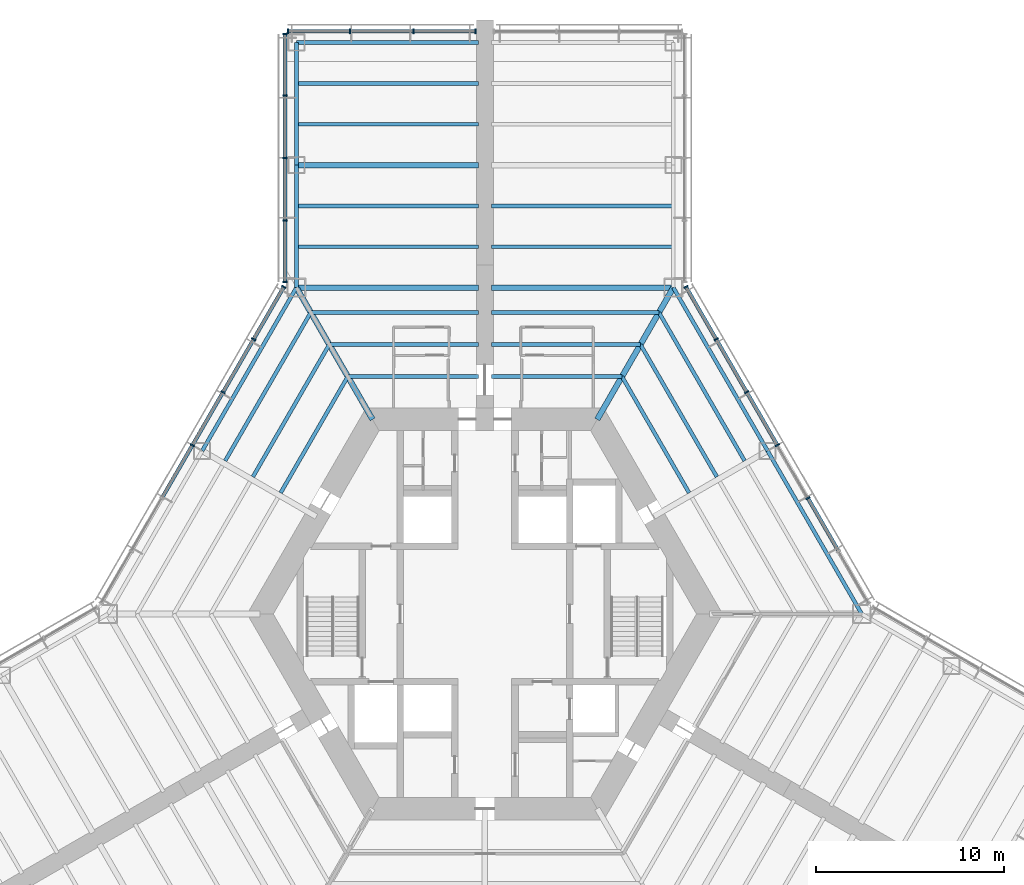
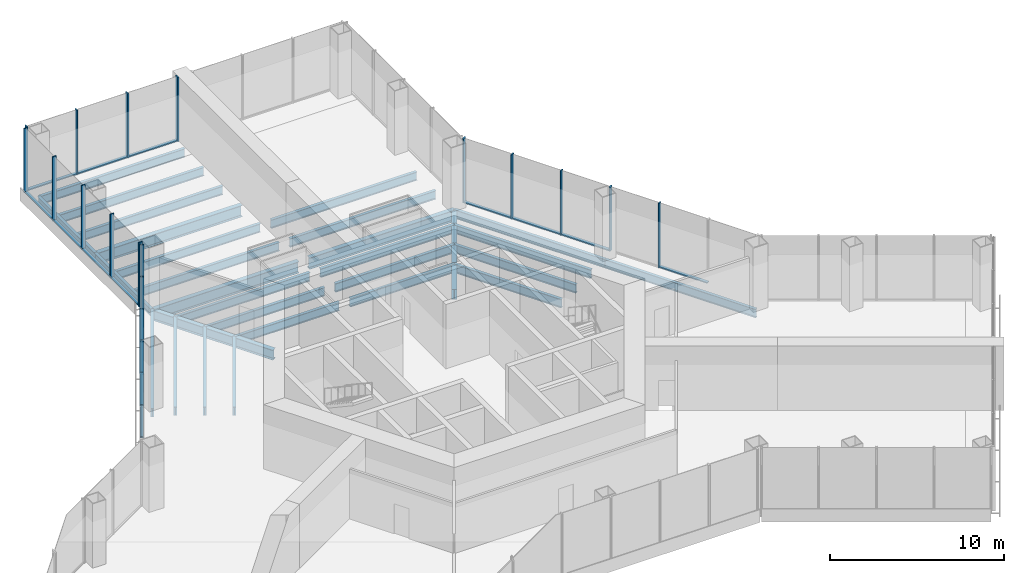
# One storey, part 5 of 13: 33 members, 29 beams, 4 elements without a shape of their own.
"""IFC4 building model written with IfcOpenShell, lengths in metres."""

from ifc_helpers import new_model, si_unit, direction, frame, origin, origin_2d, place, context, subcontext, project, spatial, rectangle, i_section, extrude, material, material_profile, profile_set, type_object, element, aggregate, save


model = new_model("IFC4")

# Units and contexts
model_context = context("Model", 3, precision=1e-05, world=origin(), true_north=direction((0.0, 1.0)))
body_context = subcontext(model_context, "Body", "Model", "MODEL_VIEW")
ifc_project = project(units=[si_unit("LENGTHUNIT", "METRE"), si_unit("AREAUNIT", "SQUARE_METRE"), si_unit("VOLUMEUNIT", "CUBIC_METRE"), si_unit("PLANEANGLEUNIT", "RADIAN"), si_unit("MASSUNIT", "GRAM", prefix="KILO")], contexts=[model_context])

# Site, building, storey
site_placement = place(None, origin())
site = spatial("IfcSite", under=ifc_project, at=site_placement, CompositionType="ELEMENT")
building_placement = place(site_placement, origin())
building = spatial("IfcBuilding", under=site, at=building_placement, Name="Kasaneha Research Tower", CompositionType="ELEMENT")
storey_placement = place(building_placement, frame((0.0, 0.0, 5.5)))
storey = spatial("IfcBuildingStorey", under=building, at=storey_placement, Name="L02", CompositionType="ELEMENT", Elevation=5.5)

# Beams
ifc_material_1 = material(Name="Steel SN490B", Category="steel")
ifc_material_profile_1 = material_profile(ifc_material_1, i_section(OverallWidth=0.199951171875, OverallDepth=0.60009765625, WebThickness=0.010986328125, FlangeThickness=0.01708984375, FilletRadius=0.012939453125, at=origin_2d()), Name="H-600x200x11x17")
ifc_profile_set_1 = profile_set([ifc_material_profile_1], Name="Steel SN490B")
beam_type_1 = type_object("IfcBeamType", Name="B1-1 secondary beam H-600x200x11x17", PredefinedType="JOIST", material=ifc_profile_set_1)
beam_1_placement = place(storey_placement, frame((7.274658203125, 12.60009765625, -0.5), z_axis=(0.499990404686, -0.866030943571, 0.0), x_axis=(0.866030943571, 0.499990404686, 0.0)))
element("IfcBeam", 1, at=beam_1_placement, inside=storey, type_object=beam_type_1, Name="Secondary beam RS030R1 L02", PredefinedType="JOIST", context=body_context, shape_type="SweptSolid", body=[
    extrude(i_section(OverallWidth=0.199951171875, OverallDepth=0.60009765625, WebThickness=0.010986328125, FlangeThickness=0.01708984375, FilletRadius=0.012939453125, at=origin_2d()), origin(), (0.0, 0.0, 1.0), 7.124755859375),
])
beam_2_placement = place(storey_placement, frame((8.256103515625, 14.300048828125, -0.5), z_axis=(0.499984030215, -0.866034623748, 0.0), x_axis=(0.866034623748, 0.499984030215, 0.0)))
element("IfcBeam", 2, at=beam_2_placement, inside=storey, type_object=beam_type_1, Name="Secondary beam RS030R2 L02", PredefinedType="JOIST", context=body_context, shape_type="SweptSolid", body=[
    extrude(i_section(OverallWidth=0.199951171875, OverallDepth=0.60009765625, WebThickness=0.010986328125, FlangeThickness=0.01708984375, FilletRadius=0.012939453125, at=origin_2d()), origin(), (0.0, 0.0, 1.0), 8.106201171875),
])
beam_3_placement = place(storey_placement, frame((9.237548828125, 16.0, -0.5), z_axis=(0.500010814234, -0.866019160093, 0.0), x_axis=(0.866019160093, 0.500010814234, 0.0)))
element("IfcBeam", 3, at=beam_3_placement, inside=storey, type_object=beam_type_1, Name="Secondary beam RS030R3 L02", PredefinedType="JOIST", context=body_context, shape_type="SweptSolid", body=[
    extrude(i_section(OverallWidth=0.199951171875, OverallDepth=0.60009765625, WebThickness=0.010986328125, FlangeThickness=0.01708984375, FilletRadius=0.012939453125, at=origin_2d()), origin(), (0.0, 0.0, 1.0), 9.087646484375),
])
beam_4_placement = place(storey_placement, frame((7.274658203125, 12.60009765625, -0.5), z_axis=(-1.0, 0.0, 0.0), x_axis=(0.0, -1.0, 0.0)))
element("IfcBeam", 4, at=beam_4_placement, inside=storey, type_object=beam_type_1, Name="Secondary beam RS090L1 L02", PredefinedType="JOIST", context=body_context, shape_type="SweptSolid", body=[
    extrude(i_section(OverallWidth=0.199951171875, OverallDepth=0.60009765625, WebThickness=0.010986328125, FlangeThickness=0.01708984375, FilletRadius=0.012939453125, at=origin_2d()), origin(), (0.0, 0.0, 1.0), 6.924560546875),
])
beam_5_placement = place(storey_placement, frame((8.256103515625, 14.300048828125, -0.5), z_axis=(-1.0, 0.0, 0.0), x_axis=(0.0, -1.0, 0.0)))
element("IfcBeam", 5, at=beam_5_placement, inside=storey, type_object=beam_type_1, Name="Secondary beam RS090L2 L02", PredefinedType="JOIST", context=body_context, shape_type="SweptSolid", body=[
    extrude(i_section(OverallWidth=0.199951171875, OverallDepth=0.60009765625, WebThickness=0.010986328125, FlangeThickness=0.01708984375, FilletRadius=0.012939453125, at=origin_2d()), origin(), (0.0, 0.0, 1.0), 7.906005859375),
])
beam_6_placement = place(storey_placement, frame((9.237548828125, 16.0, -0.5), z_axis=(-1.0, 0.0, 0.0), x_axis=(0.0, -1.0, 0.0)))
element("IfcBeam", 6, at=beam_6_placement, inside=storey, type_object=beam_type_1, Name="Secondary beam RS090L3 L02", PredefinedType="JOIST", context=body_context, shape_type="SweptSolid", body=[
    extrude(i_section(OverallWidth=0.199951171875, OverallDepth=0.60009765625, WebThickness=0.010986328125, FlangeThickness=0.01708984375, FilletRadius=0.012939453125, at=origin_2d()), origin(), (0.0, 0.0, 1.0), 8.887451171875),
])
beam_7_placement = place(storey_placement, frame((-7.274658203125, 12.60009765625, -0.5), z_axis=(1.0, 0.0, 0.0), x_axis=(0.0, 1.0, 0.0)))
element("IfcBeam", 7, at=beam_7_placement, inside=storey, type_object=beam_type_1, Name="Secondary beam RS090R1 L02", PredefinedType="JOIST", context=body_context, shape_type="SweptSolid", body=[
    extrude(i_section(OverallWidth=0.199951171875, OverallDepth=0.60009765625, WebThickness=0.010986328125, FlangeThickness=0.01708984375, FilletRadius=0.012939453125, at=origin_2d()), origin(), (0.0, 0.0, 1.0), 6.924560546875),
])
beam_8_placement = place(storey_placement, frame((-8.256103515625, 14.300048828125, -0.5), z_axis=(1.0, 0.0, 0.0), x_axis=(0.0, 1.0, 0.0)))
element("IfcBeam", 8, at=beam_8_placement, inside=storey, type_object=beam_type_1, Name="Secondary beam RS090R2 L02", PredefinedType="JOIST", context=body_context, shape_type="SweptSolid", body=[
    extrude(i_section(OverallWidth=0.199951171875, OverallDepth=0.60009765625, WebThickness=0.010986328125, FlangeThickness=0.01708984375, FilletRadius=0.012939453125, at=origin_2d()), origin(), (0.0, 0.0, 1.0), 7.906005859375),
])
beam_9_placement = place(storey_placement, frame((-9.237548828125, 16.0, -0.5), z_axis=(1.0, 0.0, 0.0), x_axis=(0.0, 1.0, 0.0)))
element("IfcBeam", 9, at=beam_9_placement, inside=storey, type_object=beam_type_1, Name="Secondary beam RS090R3 L02", PredefinedType="JOIST", context=body_context, shape_type="SweptSolid", body=[
    extrude(i_section(OverallWidth=0.199951171875, OverallDepth=0.60009765625, WebThickness=0.010986328125, FlangeThickness=0.01708984375, FilletRadius=0.012939453125, at=origin_2d()), origin(), (0.0, 0.0, 1.0), 8.887451171875),
])
beam_10_placement = place(storey_placement, frame((-7.274658203125, 12.60009765625, -0.5), z_axis=(-0.499990404686, -0.866030943571, 0.0), x_axis=(0.866030943571, -0.499990404686, 0.0)))
element("IfcBeam", 10, at=beam_10_placement, inside=storey, type_object=beam_type_1, Name="Secondary beam RS150L1 L02", PredefinedType="JOIST", context=body_context, shape_type="SweptSolid", body=[
    extrude(i_section(OverallWidth=0.199951171875, OverallDepth=0.60009765625, WebThickness=0.010986328125, FlangeThickness=0.01708984375, FilletRadius=0.012939453125, at=origin_2d()), origin(), (0.0, 0.0, 1.0), 7.124755859375),
])
beam_11_placement = place(storey_placement, frame((-8.256103515625, 14.300048828125, -0.5), z_axis=(-0.499984030215, -0.866034623748, 0.0), x_axis=(0.866034623748, -0.499984030215, 0.0)))
element("IfcBeam", 11, at=beam_11_placement, inside=storey, type_object=beam_type_1, Name="Secondary beam RS150L2 L02", PredefinedType="JOIST", context=body_context, shape_type="SweptSolid", body=[
    extrude(i_section(OverallWidth=0.199951171875, OverallDepth=0.60009765625, WebThickness=0.010986328125, FlangeThickness=0.01708984375, FilletRadius=0.012939453125, at=origin_2d()), origin(), (0.0, 0.0, 1.0), 8.106201171875),
])
beam_12_placement = place(storey_placement, frame((-9.237548828125, 16.0, -0.5), z_axis=(-0.500010814234, -0.866019160093, 0.0), x_axis=(0.866019160093, -0.500010814234, 0.0)))
element("IfcBeam", 12, at=beam_12_placement, inside=storey, type_object=beam_type_1, Name="Secondary beam RS150L3 L02", PredefinedType="JOIST", context=body_context, shape_type="SweptSolid", body=[
    extrude(i_section(OverallWidth=0.199951171875, OverallDepth=0.60009765625, WebThickness=0.010986328125, FlangeThickness=0.01708984375, FilletRadius=0.012939453125, at=origin_2d()), origin(), (0.0, 0.0, 1.0), 9.087646484375),
])
ifc_material_2 = material(Name="Steel SN490B", Category="steel")
ifc_material_profile_2 = material_profile(ifc_material_2, i_section(OverallWidth=0.198974609375, OverallDepth=0.595947265625, WebThickness=0.010009765625, FlangeThickness=0.014892578125, FilletRadius=0.012939453125, at=origin_2d()), Name="H-596x199x10x15")
ifc_profile_set_2 = profile_set([ifc_material_profile_2], Name="Steel SN490B")
beam_type_2 = type_object("IfcBeamType", Name="B2-1 secondary beam H-596x199x10x15", PredefinedType="JOIST", material=ifc_profile_set_2)
for number, where, z_axis, x_axis, name in (
    (13, (10.0, 19.487060546875, -0.498046875), (-1.0, 0.0, 0.0), (0.0, -1.0, 0.0), "Secondary beam WBAP1 L02"),
    (14, (10.0, 21.65380859375, -0.498046875), (-1.0, 0.0, 0.0), (0.0, -1.0, 0.0), "Secondary beam WBAP2 L02"),
    (15, (-10.0, 19.487060546875, -0.498046875), (1.0, 0.0, 0.0), (0.0, 1.0, 0.0), "Secondary beam WBAN1 L02"),
    (16, (-10.0, 21.65380859375, -0.498046875), (1.0, 0.0, 0.0), (0.0, 1.0, 0.0), "Secondary beam WBAN2 L02"),
    (17, (-10.0, 25.987060546875, -0.498046875), (1.0, 0.0, 0.0), (0.0, 1.0, 0.0), "Secondary beam WBAN3 L02"),
    (18, (-10.0, 28.15380859375, -0.498046875), (1.0, 0.0, 0.0), (0.0, 1.0, 0.0), "Secondary beam WBAN4 L02"),
):
    element("IfcBeam", number, at=place(storey_placement, frame(where, z_axis=z_axis, x_axis=x_axis)), inside=storey, type_object=beam_type_2, Name=name, PredefinedType="JOIST", context=body_context, shape_type="SweptSolid", body=[
        extrude(i_section(OverallWidth=0.198974609375, OverallDepth=0.595947265625, WebThickness=0.010009765625, FlangeThickness=0.014892578125, FilletRadius=0.012939453125, at=origin_2d()), origin(), (0.0, 0.0, 1.0), 9.64990234375),
    ])

# Curtain wall, members
ifc_material_3 = material(Name="Glass and aluminium", Category="aluminium")
curtain_wall_type = type_object("IfcCurtainWallType", Name="Entrance hall curtain wall", PredefinedType="USERDEFINED", material=ifc_material_3)
curtain_wall_1_placement = place(storey_placement, origin())
curtain_wall_1 = element("IfcCurtainWall", 19, at=curtain_wall_1_placement, inside=storey, type_object=curtain_wall_type, Name="CW-H L02 run 07a", ObjectType="UNITISED CURTAIN WALL", PredefinedType="USERDEFINED")
ifc_material_4 = material(Name="Aluminium 6063-T6", Category="aluminium")
ifc_material_profile_3 = material_profile(ifc_material_4, rectangle(XDim=0.080078125, YDim=0.25, at=origin_2d()), Name="CW-H mullion 80x250")
ifc_profile_set_3 = profile_set([ifc_material_profile_3], Name="Aluminium 6063-T6")
member_type_1 = type_object("IfcMemberType", Name="CW-H mullion", PredefinedType="MULLION", material=ifc_profile_set_3)
member_1_placement = place(storey_placement, frame((17.142822265625, 6.148681640625, 0.0), z_axis=(0.0, 0.0, 1.0), x_axis=(-0.49999996188, 0.866025425793, 0.0)))
member_1 = element("IfcMember", 20, at=member_1_placement, type_object=member_type_1, Name="CW-H mullion 3", PredefinedType="MULLION", context=body_context, shape_type="SweptSolid", body=[
    extrude(rectangle(XDim=0.080078125, YDim=0.25, at=origin_2d()), origin(), (0.0, 0.0, 1.0), 4.5),
])
member_2_placement = place(storey_placement, frame((15.51953125, 8.960205078125, 0.0), z_axis=(0.0, 0.0, 1.0), x_axis=(-0.49999996188, 0.866025425793, 0.0)))
member_2 = element("IfcMember", 21, at=member_2_placement, type_object=member_type_1, Name="CW-H mullion 4", PredefinedType="MULLION", context=body_context, shape_type="SweptSolid", body=[
    extrude(rectangle(XDim=0.080078125, YDim=0.25, at=origin_2d()), origin(), (0.0, 0.0, 1.0), 4.5),
])
member_3_placement = place(storey_placement, frame((13.896484375, 11.771728515625, 0.0), z_axis=(0.0, 0.0, 1.0), x_axis=(-0.49999996188, 0.866025425793, 0.0)))
member_3 = element("IfcMember", 22, at=member_3_placement, type_object=member_type_1, Name="CW-H mullion 5", PredefinedType="MULLION", context=body_context, shape_type="SweptSolid", body=[
    extrude(rectangle(XDim=0.080078125, YDim=0.25, at=origin_2d()), origin(), (0.0, 0.0, 1.0), 4.5),
])
member_4_placement = place(storey_placement, frame((12.273193359375, 14.583251953125, 0.0), z_axis=(0.0, 0.0, 1.0), x_axis=(-0.49999996188, 0.866025425793, 0.0)))
member_4 = element("IfcMember", 23, at=member_4_placement, type_object=member_type_1, Name="CW-H mullion 6", PredefinedType="MULLION", context=body_context, shape_type="SweptSolid", body=[
    extrude(rectangle(XDim=0.080078125, YDim=0.25, at=origin_2d()), origin(), (0.0, 0.0, 1.0), 4.5),
])
member_5_placement = place(storey_placement, frame((10.669921875, 17.360107421875, 0.0), z_axis=(0.0, 0.0, 1.0), x_axis=(-0.49999996188, 0.866025425793, 0.0)))
member_5 = element("IfcMember", 24, at=member_5_placement, type_object=member_type_1, Name="CW-H mullion 7", PredefinedType="MULLION", context=body_context, shape_type="SweptSolid", body=[
    extrude(rectangle(XDim=0.080078125, YDim=0.25, at=origin_2d()), origin(), (0.0, 0.0, 1.0), 4.5),
])

curtain_wall_2_placement = place(storey_placement, origin())
curtain_wall_2 = element("IfcCurtainWall", 25, at=curtain_wall_2_placement, inside=storey, type_object=curtain_wall_type, Name="CW-H L02 run 10a", ObjectType="UNITISED CURTAIN WALL", PredefinedType="USERDEFINED")
member_6_placement = place(storey_placement, frame((-0.489990234375, 30.92041015625, 0.0), z_axis=(0.0, 0.0, 1.0), x_axis=(-1.0, 0.0, 0.0)))
member_6 = element("IfcMember", 26, at=member_6_placement, type_object=member_type_1, Name="CW-H mullion 1", PredefinedType="MULLION", context=body_context, shape_type="SweptSolid", body=[
    extrude(rectangle(XDim=0.080078125, YDim=0.25, at=origin_2d()), origin(), (0.0, 0.0, 1.0), 4.5),
])
member_7_placement = place(storey_placement, frame((-3.800048828125, 30.92041015625, 0.0), z_axis=(0.0, 0.0, 1.0), x_axis=(-1.0, 0.0, 0.0)))
member_7 = element("IfcMember", 27, at=member_7_placement, type_object=member_type_1, Name="CW-H mullion 2", PredefinedType="MULLION", context=body_context, shape_type="SweptSolid", body=[
    extrude(rectangle(XDim=0.080078125, YDim=0.25, at=origin_2d()), origin(), (0.0, 0.0, 1.0), 4.5),
])
member_8_placement = place(storey_placement, frame((-7.14990234375, 30.92041015625, 0.0), z_axis=(0.0, 0.0, 1.0), x_axis=(-1.0, 0.0, 0.0)))
member_8 = element("IfcMember", 28, at=member_8_placement, type_object=member_type_1, Name="CW-H mullion 3", PredefinedType="MULLION", context=body_context, shape_type="SweptSolid", body=[
    extrude(rectangle(XDim=0.080078125, YDim=0.25, at=origin_2d()), origin(), (0.0, 0.0, 1.0), 4.5),
])
member_9_placement = place(storey_placement, frame((-10.4599609375, 30.92041015625, 0.0), z_axis=(0.0, 0.0, 1.0), x_axis=(-1.0, 0.0, 0.0)))
member_9 = element("IfcMember", 29, at=member_9_placement, type_object=member_type_1, Name="CW-H mullion 4", PredefinedType="MULLION", context=body_context, shape_type="SweptSolid", body=[
    extrude(rectangle(XDim=0.080078125, YDim=0.25, at=origin_2d()), origin(), (0.0, 0.0, 1.0), 4.5),
])

curtain_wall_3_placement = place(storey_placement, origin())
curtain_wall_3 = element("IfcCurtainWall", 30, at=curtain_wall_3_placement, inside=storey, type_object=curtain_wall_type, Name="CW-H L02 run 11a", ObjectType="UNITISED CURTAIN WALL", PredefinedType="USERDEFINED")
member_10_placement = place(storey_placement, frame((-10.60009765625, 30.780517578125, 0.0), z_axis=(0.0, 0.0, 1.0), x_axis=(0.0, -1.0, 0.0)))
member_10 = element("IfcMember", 31, at=member_10_placement, type_object=member_type_1, Name="CW-H mullion 1", PredefinedType="MULLION", context=body_context, shape_type="SweptSolid", body=[
    extrude(rectangle(XDim=0.080078125, YDim=0.25, at=origin_2d()), origin(), (0.0, 0.0, 1.0), 4.5),
])
member_11_placement = place(storey_placement, frame((-10.60009765625, 27.5107421875, 0.0), z_axis=(0.0, 0.0, 1.0), x_axis=(0.0, -1.0, 0.0)))
member_11 = element("IfcMember", 32, at=member_11_placement, type_object=member_type_1, Name="CW-H mullion 2", PredefinedType="MULLION", context=body_context, shape_type="SweptSolid", body=[
    extrude(rectangle(XDim=0.080078125, YDim=0.25, at=origin_2d()), origin(), (0.0, 0.0, 1.0), 4.5),
])
member_12_placement = place(storey_placement, frame((-10.60009765625, 24.200927734375, 0.0), z_axis=(0.0, 0.0, 1.0), x_axis=(0.0, -1.0, 0.0)))
member_12 = element("IfcMember", 33, at=member_12_placement, type_object=member_type_1, Name="CW-H mullion 3", PredefinedType="MULLION", context=body_context, shape_type="SweptSolid", body=[
    extrude(rectangle(XDim=0.080078125, YDim=0.25, at=origin_2d()), origin(), (0.0, 0.0, 1.0), 4.5),
])
member_13_placement = place(storey_placement, frame((-10.60009765625, 20.89111328125, 0.0), z_axis=(0.0, 0.0, 1.0), x_axis=(0.0, -1.0, 0.0)))
member_13 = element("IfcMember", 34, at=member_13_placement, type_object=member_type_1, Name="CW-H mullion 4", PredefinedType="MULLION", context=body_context, shape_type="SweptSolid", body=[
    extrude(rectangle(XDim=0.080078125, YDim=0.25, at=origin_2d()), origin(), (0.0, 0.0, 1.0), 4.5),
])
member_14_placement = place(storey_placement, frame((-10.60009765625, 17.621337890625, 0.0), z_axis=(0.0, 0.0, 1.0), x_axis=(0.0, -1.0, 0.0)))
member_14 = element("IfcMember", 35, at=member_14_placement, type_object=member_type_1, Name="CW-H mullion 5", PredefinedType="MULLION", context=body_context, shape_type="SweptSolid", body=[
    extrude(rectangle(XDim=0.080078125, YDim=0.25, at=origin_2d()), origin(), (0.0, 0.0, 1.0), 4.5),
])

curtain_wall_4_placement = place(storey_placement, origin())
curtain_wall_4 = element("IfcCurtainWall", 36, at=curtain_wall_4_placement, inside=storey, type_object=curtain_wall_type, Name="CW-H L02 run 12a", ObjectType="UNITISED CURTAIN WALL", PredefinedType="USERDEFINED")
member_15_placement = place(storey_placement, frame((-10.669921875, 17.360107421875, 0.0), z_axis=(0.0, 0.0, 1.0), x_axis=(-0.49999996188, -0.866025425793, 0.0)))
member_15 = element("IfcMember", 37, at=member_15_placement, type_object=member_type_1, Name="CW-H mullion 1", PredefinedType="MULLION", context=body_context, shape_type="SweptSolid", body=[
    extrude(rectangle(XDim=0.080078125, YDim=0.25, at=origin_2d()), origin(), (0.0, 0.0, 1.0), 4.5),
])
member_16_placement = place(storey_placement, frame((-12.273193359375, 14.583251953125, 0.0), z_axis=(0.0, 0.0, 1.0), x_axis=(-0.49999996188, -0.866025425793, 0.0)))
member_16 = element("IfcMember", 38, at=member_16_placement, type_object=member_type_1, Name="CW-H mullion 2", PredefinedType="MULLION", context=body_context, shape_type="SweptSolid", body=[
    extrude(rectangle(XDim=0.080078125, YDim=0.25, at=origin_2d()), origin(), (0.0, 0.0, 1.0), 4.5),
])
member_17_placement = place(storey_placement, frame((-13.896484375, 11.771728515625, 0.0), z_axis=(0.0, 0.0, 1.0), x_axis=(-0.49999996188, -0.866025425793, 0.0)))
member_17 = element("IfcMember", 39, at=member_17_placement, type_object=member_type_1, Name="CW-H mullion 3", PredefinedType="MULLION", context=body_context, shape_type="SweptSolid", body=[
    extrude(rectangle(XDim=0.080078125, YDim=0.25, at=origin_2d()), origin(), (0.0, 0.0, 1.0), 4.5),
])
member_18_placement = place(storey_placement, frame((-15.51953125, 8.960205078125, 0.0), z_axis=(0.0, 0.0, 1.0), x_axis=(-0.49999996188, -0.866025425793, 0.0)))
member_18 = element("IfcMember", 40, at=member_18_placement, type_object=member_type_1, Name="CW-H mullion 4", PredefinedType="MULLION", context=body_context, shape_type="SweptSolid", body=[
    extrude(rectangle(XDim=0.080078125, YDim=0.25, at=origin_2d()), origin(), (0.0, 0.0, 1.0), 4.5),
])

# Member
ifc_material_5 = material(Name="Aluminium 6063-T6", Category="aluminium")
ifc_material_profile_4 = material_profile(ifc_material_5, rectangle(XDim=0.199951171875, YDim=0.080078125, at=origin_2d()), Name="CW-H transom 200x80")
ifc_profile_set_4 = profile_set([ifc_material_profile_4], Name="Aluminium 6063-T6")
member_type_2 = type_object("IfcMemberType", Name="CW-H transom", PredefinedType="USERDEFINED", material=ifc_profile_set_4)
member_19_placement = place(storey_placement, frame((18.74609375, 3.371826171875, 0.0400390625), z_axis=(-0.499978282948, 0.866037941767, 0.0), x_axis=(-0.866037941767, -0.499978282948, 0.0)))
member_19 = element("IfcMember", 41, at=member_19_placement, type_object=member_type_2, Name="CW-H transom 2", ObjectType="TRANSOM", PredefinedType="USERDEFINED", context=body_context, shape_type="SweptSolid", body=[
    extrude(rectangle(XDim=0.199951171875, YDim=0.080078125, at=origin_2d()), origin(), (0.0, 0.0, 1.0), 3.166748046875),
])

member_20_placement = place(storey_placement, frame((15.49951171875, 8.994873046875, 0.0400390625), z_axis=(-0.499953838557, 0.866052053466, 0.0), x_axis=(-0.866052053466, -0.499953838557, 0.0)))
member_20 = element("IfcMember", 42, at=member_20_placement, type_object=member_type_2, Name="CW-H transom 4", ObjectType="TRANSOM", PredefinedType="USERDEFINED", context=body_context, shape_type="SweptSolid", body=[
    extrude(rectangle(XDim=0.199951171875, YDim=0.080078125, at=origin_2d()), origin(), (0.0, 0.0, 1.0), 3.166259765625),
])

member_21_placement = place(storey_placement, frame((13.87646484375, 11.806396484375, 0.0400390625), z_axis=(-0.500011668103, 0.866018667098, 0.0), x_axis=(-0.866018667098, -0.500011668103, 0.0)))
member_21 = element("IfcMember", 43, at=member_21_placement, type_object=member_type_2, Name="CW-H transom 5", ObjectType="TRANSOM", PredefinedType="USERDEFINED", context=body_context, shape_type="SweptSolid", body=[
    extrude(rectangle(XDim=0.199951171875, YDim=0.080078125, at=origin_2d()), origin(), (0.0, 0.0, 1.0), 3.16650390625),
])

member_22_placement = place(storey_placement, frame((12.253173828125, 14.617919921875, 0.0400390625), z_axis=(-0.500010865105, 0.866019130722, 0.0), x_axis=(-0.866019130722, -0.500010865105, 0.0)))
member_22 = element("IfcMember", 44, at=member_22_placement, type_object=member_type_2, Name="CW-H transom 6", ObjectType="TRANSOM", PredefinedType="USERDEFINED", context=body_context, shape_type="SweptSolid", body=[
    extrude(rectangle(XDim=0.199951171875, YDim=0.080078125, at=origin_2d()), origin(), (0.0, 0.0, 1.0), 3.12646484375),
])

aggregate(curtain_wall_1, [member_1, member_2, member_3, member_4, member_5, member_19, member_20, member_21, member_22])

member_23_placement = place(storey_placement, frame((-0.530029296875, 30.92041015625, 0.0400390625), z_axis=(-1.0, 0.0, 0.0), x_axis=(0.0, -1.0, 0.0)))
member_23 = element("IfcMember", 45, at=member_23_placement, type_object=member_type_2, Name="CW-H transom 1", ObjectType="TRANSOM", PredefinedType="USERDEFINED", context=body_context, shape_type="SweptSolid", body=[
    extrude(rectangle(XDim=0.199951171875, YDim=0.080078125, at=origin_2d()), origin(), (0.0, 0.0, 1.0), 3.22998046875),
])

member_24_placement = place(storey_placement, frame((-3.840087890625, 30.92041015625, 0.0400390625), z_axis=(-1.0, 0.0, 0.0), x_axis=(0.0, -1.0, 0.0)))
member_24 = element("IfcMember", 46, at=member_24_placement, type_object=member_type_2, Name="CW-H transom 2", ObjectType="TRANSOM", PredefinedType="USERDEFINED", context=body_context, shape_type="SweptSolid", body=[
    extrude(rectangle(XDim=0.199951171875, YDim=0.080078125, at=origin_2d()), origin(), (0.0, 0.0, 1.0), 3.27001953125),
])

member_25_placement = place(storey_placement, frame((-7.18994140625, 30.92041015625, 0.0400390625), z_axis=(-1.0, 0.0, 0.0), x_axis=(0.0, -1.0, 0.0)))
member_25 = element("IfcMember", 47, at=member_25_placement, type_object=member_type_2, Name="CW-H transom 3", ObjectType="TRANSOM", PredefinedType="USERDEFINED", context=body_context, shape_type="SweptSolid", body=[
    extrude(rectangle(XDim=0.199951171875, YDim=0.080078125, at=origin_2d()), origin(), (0.0, 0.0, 1.0), 3.22998046875),
])

aggregate(curtain_wall_2, [member_6, member_7, member_8, member_9, member_23, member_24, member_25])

member_26_placement = place(storey_placement, frame((-10.60009765625, 30.740478515625, 0.0400390625), z_axis=(0.0, -1.0, 0.0), x_axis=(1.0, 0.0, 0.0)))
member_26 = element("IfcMember", 48, at=member_26_placement, type_object=member_type_2, Name="CW-H transom 1", ObjectType="TRANSOM", PredefinedType="USERDEFINED", context=body_context, shape_type="SweptSolid", body=[
    extrude(rectangle(XDim=0.199951171875, YDim=0.080078125, at=origin_2d()), origin(), (0.0, 0.0, 1.0), 3.189697265625),
])

member_27_placement = place(storey_placement, frame((-10.60009765625, 27.470703125, 0.0400390625), z_axis=(0.0, -1.0, 0.0), x_axis=(1.0, 0.0, 0.0)))
member_27 = element("IfcMember", 49, at=member_27_placement, type_object=member_type_2, Name="CW-H transom 2", ObjectType="TRANSOM", PredefinedType="USERDEFINED", context=body_context, shape_type="SweptSolid", body=[
    extrude(rectangle(XDim=0.199951171875, YDim=0.080078125, at=origin_2d()), origin(), (0.0, 0.0, 1.0), 3.229736328125),
])

member_28_placement = place(storey_placement, frame((-10.60009765625, 24.160888671875, 0.0400390625), z_axis=(0.0, -1.0, 0.0), x_axis=(1.0, 0.0, 0.0)))
member_28 = element("IfcMember", 50, at=member_28_placement, type_object=member_type_2, Name="CW-H transom 3", ObjectType="TRANSOM", PredefinedType="USERDEFINED", context=body_context, shape_type="SweptSolid", body=[
    extrude(rectangle(XDim=0.199951171875, YDim=0.080078125, at=origin_2d()), origin(), (0.0, 0.0, 1.0), 3.229736328125),
])

member_29_placement = place(storey_placement, frame((-10.60009765625, 20.85107421875, 0.0400390625), z_axis=(0.0, -1.0, 0.0), x_axis=(1.0, 0.0, 0.0)))
member_29 = element("IfcMember", 51, at=member_29_placement, type_object=member_type_2, Name="CW-H transom 4", ObjectType="TRANSOM", PredefinedType="USERDEFINED", context=body_context, shape_type="SweptSolid", body=[
    extrude(rectangle(XDim=0.199951171875, YDim=0.080078125, at=origin_2d()), origin(), (0.0, 0.0, 1.0), 3.189697265625),
])

aggregate(curtain_wall_3, [member_10, member_11, member_12, member_13, member_14, member_26, member_27, member_28, member_29])

member_30_placement = place(storey_placement, frame((-10.68994140625, 17.325439453125, 0.0400390625), z_axis=(-0.500010865105, -0.866019130722, 0.0), x_axis=(0.866019130722, -0.500010865105, 0.0)))
member_30 = element("IfcMember", 52, at=member_30_placement, type_object=member_type_2, Name="CW-H transom 1", ObjectType="TRANSOM", PredefinedType="USERDEFINED", context=body_context, shape_type="SweptSolid", body=[
    extrude(rectangle(XDim=0.199951171875, YDim=0.080078125, at=origin_2d()), origin(), (0.0, 0.0, 1.0), 3.12646484375),
])

member_31_placement = place(storey_placement, frame((-12.293212890625, 14.548583984375, 0.0400390625), z_axis=(-0.500011668103, -0.866018667098, 0.0), x_axis=(0.866018667098, -0.500011668103, 0.0)))
member_31 = element("IfcMember", 53, at=member_31_placement, type_object=member_type_2, Name="CW-H transom 2", ObjectType="TRANSOM", PredefinedType="USERDEFINED", context=body_context, shape_type="SweptSolid", body=[
    extrude(rectangle(XDim=0.199951171875, YDim=0.080078125, at=origin_2d()), origin(), (0.0, 0.0, 1.0), 3.16650390625),
])

member_32_placement = place(storey_placement, frame((-13.91650390625, 11.737060546875, 0.0400390625), z_axis=(-0.499953838557, -0.866052053466, 0.0), x_axis=(0.866052053466, -0.499953838557, 0.0)))
member_32 = element("IfcMember", 54, at=member_32_placement, type_object=member_type_2, Name="CW-H transom 3", ObjectType="TRANSOM", PredefinedType="USERDEFINED", context=body_context, shape_type="SweptSolid", body=[
    extrude(rectangle(XDim=0.199951171875, YDim=0.080078125, at=origin_2d()), origin(), (0.0, 0.0, 1.0), 3.166259765625),
])

member_33_placement = place(storey_placement, frame((-15.53955078125, 8.925537109375, 0.0400390625), z_axis=(-0.500011668103, -0.866018667098, 0.0), x_axis=(0.866018667098, -0.500011668103, 0.0)))
member_33 = element("IfcMember", 55, at=member_33_placement, type_object=member_type_2, Name="CW-H transom 4", ObjectType="TRANSOM", PredefinedType="USERDEFINED", context=body_context, shape_type="SweptSolid", body=[
    extrude(rectangle(XDim=0.199951171875, YDim=0.080078125, at=origin_2d()), origin(), (0.0, 0.0, 1.0), 3.16650390625),
])

aggregate(curtain_wall_4, [member_15, member_16, member_17, member_18, member_30, member_31, member_32, member_33])

# Beams
ifc_material_6 = material(Name="Steel SN490B", Category="steel")
ifc_material_profile_5 = material_profile(ifc_material_6, i_section(OverallWidth=0.300048828125, OverallDepth=0.699951171875, WebThickness=0.012939453125, FlangeThickness=0.02392578125, FilletRadius=0.01806640625, at=origin_2d()), Name="H-700x300x13x24")
ifc_profile_set_5 = profile_set([ifc_material_profile_5], Name="Steel SN490B")
beam_type_3 = type_object("IfcBeamType", Name="G1-1 radial girder H-700x300x13x24", PredefinedType="BEAM", material=ifc_profile_set_5)
for number, where, z_axis, x_axis, name in (
    (56, (5.961181640625, 10.324951171875, -0.550048828125), (0.49999105496, 0.866030568144, 0.0), (-0.866030568144, 0.49999105496, 0.0), "Radial girder RV060 L02"),
    (57, (-5.961181640625, 10.324951171875, -0.550048828125), (-0.49999105496, 0.866030568144, 0.0), (-0.866030568144, -0.49999105496, 0.0), "Radial girder RV120 L02"),
):
    element("IfcBeam", number, at=place(storey_placement, frame(where, z_axis=z_axis, x_axis=x_axis)), inside=storey, type_object=beam_type_3, Name=name, PredefinedType="BEAM", context=body_context, shape_type="SweptSolid", body=[
        extrude(i_section(OverallWidth=0.300048828125, OverallDepth=0.699951171875, WebThickness=0.012939453125, FlangeThickness=0.02392578125, FilletRadius=0.01806640625, at=origin_2d()), origin(), (0.0, 0.0, 1.0), 8.077880859375),
    ])
ifc_material_7 = material(Name="Steel SN490B", Category="steel")
ifc_material_profile_6 = material_profile(ifc_material_7, i_section(OverallWidth=0.300048828125, OverallDepth=0.7919921875, WebThickness=0.013916015625, FlangeThickness=0.02197265625, FilletRadius=0.01806640625, at=origin_2d()), Name="H-792x300x14x22")
ifc_profile_set_6 = profile_set([ifc_material_profile_6], Name="Steel SN490B")
beam_type_4 = type_object("IfcBeamType", Name="G3-1 plate edge girder H-792x300x14x22", PredefinedType="BEAM", material=ifc_profile_set_6)
for number, where, z_axis, x_axis, name in (
    (58, (10.0, 17.320556640625, -0.595947265625), (-1.0, 0.0, 0.0), (0.0, -1.0, 0.0), "Plate edge girder PEAP L02"),
    (59, (-10.0, 17.320556640625, -0.595947265625), (1.0, 0.0, 0.0), (0.0, 1.0, 0.0), "Plate edge girder PEAN L02"),
):
    element("IfcBeam", number, at=place(storey_placement, frame(where, z_axis=z_axis, x_axis=x_axis)), inside=storey, type_object=beam_type_4, Name=name, PredefinedType="BEAM", context=body_context, shape_type="SweptSolid", body=[
        extrude(i_section(OverallWidth=0.300048828125, OverallDepth=0.7919921875, WebThickness=0.013916015625, FlangeThickness=0.02197265625, FilletRadius=0.01806640625, at=origin_2d()), origin(), (0.0, 0.0, 1.0), 9.64990234375),
    ])
ifc_material_8 = material(Name="Steel SN490B", Category="steel")
ifc_material_profile_7 = material_profile(ifc_material_8, i_section(OverallWidth=0.300048828125, OverallDepth=0.800048828125, WebThickness=0.013916015625, FlangeThickness=0.02587890625, FilletRadius=0.01806640625, at=origin_2d()), Name="H-800x300x14x26")
ifc_profile_set_7 = profile_set([ifc_material_profile_7], Name="Steel SN490B")
beam_type_5 = type_object("IfcBeamType", Name="G4-1 wing girder H-800x300x14x26", PredefinedType="BEAM", material=ifc_profile_set_7)
beam_13_placement = place(storey_placement, frame((-10.0, 23.820556640625, -0.60009765625), z_axis=(1.0, 0.0, 0.0), x_axis=(0.0, 1.0, 0.0)))
element("IfcBeam", 60, at=beam_13_placement, inside=storey, type_object=beam_type_5, Name="Wing girder WGAN L02", PredefinedType="BEAM", context=body_context, shape_type="SweptSolid", body=[
    extrude(i_section(OverallWidth=0.300048828125, OverallDepth=0.800048828125, WebThickness=0.013916015625, FlangeThickness=0.02587890625, FilletRadius=0.01806640625, at=origin_2d()), origin(), (0.0, 0.0, 1.0), 9.64990234375),
])
ifc_material_9 = material(Name="Steel SN490B", Category="steel")
ifc_material_profile_8 = material_profile(ifc_material_9, i_section(OverallWidth=0.199951171875, OverallDepth=0.60009765625, WebThickness=0.010986328125, FlangeThickness=0.01708984375, FilletRadius=0.012939453125, at=origin_2d()), Name="H-600x200x11x17")
ifc_profile_set_8 = profile_set([ifc_material_profile_8], Name="Steel SN490B")
beam_type_6 = type_object("IfcBeamType", Name="SB1-1 spandrel beam H-600x200x11x17", PredefinedType="SPANDREL", material=ifc_profile_set_8)
beam_14_placement = place(storey_placement, frame((20.0, 0.0, -0.5), z_axis=(-0.500004234368, 0.866022959057, 0.0), x_axis=(-0.866022959057, -0.500004234368, 0.0)))
element("IfcBeam", 61, at=beam_14_placement, inside=storey, type_object=beam_type_6, Name="Spandrel beam SR030L L02", PredefinedType="SPANDREL", context=body_context, shape_type="SweptSolid", body=[
    extrude(i_section(OverallWidth=0.199951171875, OverallDepth=0.60009765625, WebThickness=0.010986328125, FlangeThickness=0.01708984375, FilletRadius=0.012939453125, at=origin_2d()), origin(), (0.0, 0.0, 1.0), 10.0),
])
for number, where, z_axis, x_axis, name in (
    (62, (10.0, 17.320556640625, -0.5), (0.499993662806, -0.866029062534, 0.0), (0.866029062534, 0.499993662806, 0.0), "Spandrel beam SR030R L02"),
    (63, (-10.0, 17.320556640625, -0.5), (-0.499993662806, -0.866029062534, 0.0), (0.866029062534, -0.499993662806, 0.0), "Spandrel beam SR150L L02"),
):
    element("IfcBeam", number, at=place(storey_placement, frame(where, z_axis=z_axis, x_axis=x_axis)), inside=storey, type_object=beam_type_6, Name=name, PredefinedType="SPANDREL", context=body_context, shape_type="SweptSolid", body=[
        extrude(i_section(OverallWidth=0.199951171875, OverallDepth=0.60009765625, WebThickness=0.010986328125, FlangeThickness=0.01708984375, FilletRadius=0.012939453125, at=origin_2d()), origin(), (0.0, 0.0, 1.0), 10.000244140625),
    ])
ifc_material_10 = material(Name="Steel SN490B", Category="steel")
ifc_material_profile_9 = material_profile(ifc_material_10, i_section(OverallWidth=0.199951171875, OverallDepth=0.5, WebThickness=0.010009765625, FlangeThickness=0.01611328125, FilletRadius=0.012939453125, at=origin_2d()), Name="H-500x200x10x16")
ifc_profile_set_9 = profile_set([ifc_material_profile_9], Name="Steel SN490B")
beam_type_7 = type_object("IfcBeamType", Name="SB2-1 spandrel beam H-500x200x10x16", PredefinedType="SPANDREL", material=ifc_profile_set_9)
for number, where, z_axis, x_axis, name in (
    (64, (-10.0, 17.320556640625, -0.449951171875), (0.0, 1.0, 0.0), (-1.0, 0.0, 0.0), "Spandrel beam WSAN1 L02"),
    (65, (-10.0, 23.820556640625, -0.449951171875), (0.0, 1.0, 0.0), (-1.0, 0.0, 0.0), "Spandrel beam WSAN2 L02"),
):
    element("IfcBeam", number, at=place(storey_placement, frame(where, z_axis=z_axis, x_axis=x_axis)), inside=storey, type_object=beam_type_7, Name=name, PredefinedType="SPANDREL", context=body_context, shape_type="SweptSolid", body=[
        extrude(i_section(OverallWidth=0.199951171875, OverallDepth=0.5, WebThickness=0.010009765625, FlangeThickness=0.01611328125, FilletRadius=0.012939453125, at=origin_2d()), origin(), (0.0, 0.0, 1.0), 6.5),
    ])
ifc_material_11 = material(Name="Steel SN490B", Category="steel")
ifc_material_profile_10 = material_profile(ifc_material_11, i_section(OverallWidth=0.199951171875, OverallDepth=0.60009765625, WebThickness=0.010986328125, FlangeThickness=0.01708984375, FilletRadius=0.012939453125, at=origin_2d()), Name="H-600x200x11x17")
ifc_profile_set_10 = profile_set([ifc_material_profile_10], Name="Steel SN490B")
beam_type_8 = type_object("IfcBeamType", Name="SB3-1 spandrel beam H-600x200x11x17", PredefinedType="SPANDREL", material=ifc_profile_set_10)
beam_15_placement = place(storey_placement, frame((-10.0, 30.320556640625, -0.5), z_axis=(1.0, 0.0, 0.0), x_axis=(0.0, 1.0, 0.0)))
element("IfcBeam", 66, at=beam_15_placement, inside=storey, type_object=beam_type_8, Name="Spandrel beam WTAN L02", PredefinedType="SPANDREL", context=body_context, shape_type="SweptSolid", body=[
    extrude(i_section(OverallWidth=0.199951171875, OverallDepth=0.60009765625, WebThickness=0.010986328125, FlangeThickness=0.01708984375, FilletRadius=0.012939453125, at=origin_2d()), origin(), (0.0, 0.0, 1.0), 9.64990234375),
])

save(model, "model.ifc")
